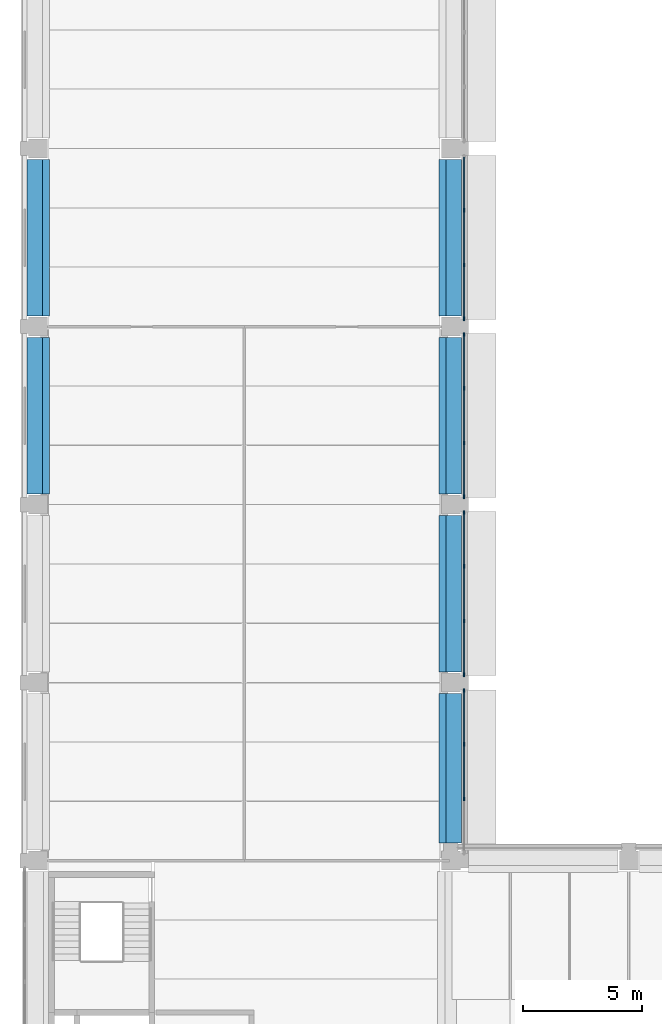
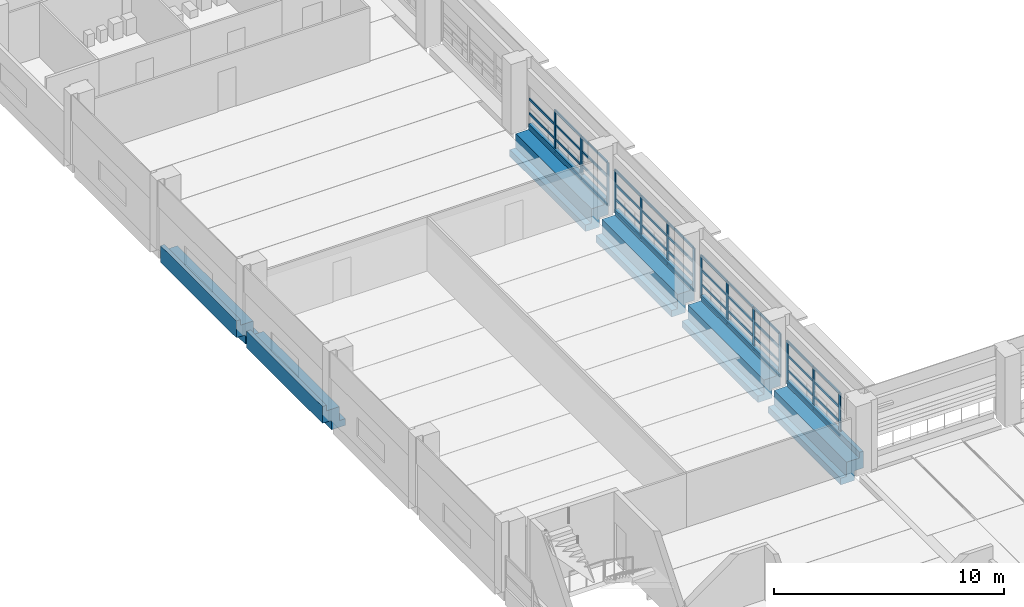
# One storey, part 9 of 61: 57 members, 6 beams, 4 elements without a shape of their own.
"""IFC4 building model written with IfcOpenShell, lengths in metres."""

from ifc_helpers import new_model, si_unit, direction, frame, origin, origin_2d, place, context, subcontext, project, spatial, polyline, rectangle, outline, extrude, material, layer, layer_set, material_profile, profile_set, type_object, element, aggregate, save


model = new_model("IFC4")

# Units and contexts
model_context = context("Model", 3, precision=1e-05, world=origin(), true_north=direction((0.0, 1.0)))
body_context = subcontext(model_context, "Body", "Model", "MODEL_VIEW")
ifc_project = project(units=[si_unit("LENGTHUNIT", "METRE"), si_unit("AREAUNIT", "SQUARE_METRE"), si_unit("VOLUMEUNIT", "CUBIC_METRE"), si_unit("PLANEANGLEUNIT", "RADIAN"), si_unit("MASSUNIT", "GRAM", prefix="KILO")], contexts=[model_context])

# Site, building, storey
site_placement = place(None, origin())
site = spatial("IfcSite", under=ifc_project, at=site_placement, CompositionType="ELEMENT")
building_placement = place(site_placement, origin())
building = spatial("IfcBuilding", under=site, at=building_placement, Name="Cour d'Honneur Mobility Palace", CompositionType="ELEMENT")
storey_placement = place(building_placement, frame((0.0, 0.0, 11.89990234375)))
storey = spatial("IfcBuildingStorey", under=building, at=storey_placement, Name="L03", CompositionType="ELEMENT", Elevation=11.89990234375)

# Curtain wall, members
ifc_material_1 = material(Name="Aluminium and glass", Category="aluminium")
ifc_layer = layer(ifc_material_1, 0.10009765625)
ifc_layer_set = layer_set([ifc_layer], Name="Aluminium and glass")
curtain_wall_type = type_object("IfcCurtainWallType", Name="Curtain wall run", PredefinedType="NOTDEFINED", material=ifc_layer_set)
curtain_wall_1_placement = place(storey_placement, origin())
curtain_wall_1 = element("IfcCurtainWall", 1, at=curtain_wall_1_placement, inside=storey, type_object=curtain_wall_type, Name="Curtain wall CW-30", PredefinedType="NOTDEFINED")
ifc_material_2 = material(Name="Aluminium", Category="aluminium")
ifc_material_profile_1 = material_profile(ifc_material_2, rectangle(XDim=0.06005859375, YDim=0.159912109375, at=origin_2d()), Name="Curtain wall mullion")
ifc_profile_set_1 = profile_set([ifc_material_profile_1], Name="Aluminium")
member_type_1 = type_object("IfcMemberType", Name="Curtain wall mullion", PredefinedType="MULLION", material=ifc_profile_set_1)
member_1_placement = place(storey_placement, frame((17.949951171875, 65.0, 0.0), z_axis=(0.0, 0.0, 1.0), x_axis=(-1.0, 0.0, 0.0)))
member_1 = element("IfcMember", 2, at=member_1_placement, type_object=member_type_1, Name="CW-30 mullion 2", PredefinedType="MULLION", context=body_context, shape_type="SweptSolid", body=[
    extrude(rectangle(XDim=0.06005859375, YDim=0.159912109375, at=origin_2d()), origin(), (0.0, 0.0, 1.0), 2.300048828125),
])
member_2_placement = place(storey_placement, frame((17.949951171875, 67.300048828125, 0.0), z_axis=(0.0, 0.0, 1.0), x_axis=(-1.0, 0.0, 0.0)))
member_2 = element("IfcMember", 3, at=member_2_placement, type_object=member_type_1, Name="CW-30 mullion 3", PredefinedType="MULLION", context=body_context, shape_type="SweptSolid", body=[
    extrude(rectangle(XDim=0.06005859375, YDim=0.159912109375, at=origin_2d()), origin(), (0.0, 0.0, 1.0), 2.300048828125),
])
member_3_placement = place(storey_placement, frame((17.949951171875, 69.570068359375, 0.0), z_axis=(0.0, 0.0, 1.0), x_axis=(-1.0, 0.0, 0.0)))
member_3 = element("IfcMember", 4, at=member_3_placement, type_object=member_type_1, Name="CW-30 mullion 4", PredefinedType="MULLION", context=body_context, shape_type="SweptSolid", body=[
    extrude(rectangle(XDim=0.06005859375, YDim=0.159912109375, at=origin_2d()), origin(), (0.0, 0.0, 1.0), 2.300048828125),
])

curtain_wall_2_placement = place(storey_placement, origin())
curtain_wall_2 = element("IfcCurtainWall", 5, at=curtain_wall_2_placement, inside=storey, type_object=curtain_wall_type, Name="Curtain wall CW-31", PredefinedType="NOTDEFINED")
member_4_placement = place(storey_placement, frame((17.949951171875, 70.22998046875, 0.0), z_axis=(0.0, 0.0, 1.0), x_axis=(-1.0, 0.0, 0.0)))
member_4 = element("IfcMember", 6, at=member_4_placement, type_object=member_type_1, Name="CW-31 mullion 1", PredefinedType="MULLION", context=body_context, shape_type="SweptSolid", body=[
    extrude(rectangle(XDim=0.06005859375, YDim=0.159912109375, at=origin_2d()), origin(), (0.0, 0.0, 1.0), 2.300048828125),
])
member_5_placement = place(storey_placement, frame((17.949951171875, 72.5, 0.0), z_axis=(0.0, 0.0, 1.0), x_axis=(-1.0, 0.0, 0.0)))
member_5 = element("IfcMember", 7, at=member_5_placement, type_object=member_type_1, Name="CW-31 mullion 2", PredefinedType="MULLION", context=body_context, shape_type="SweptSolid", body=[
    extrude(rectangle(XDim=0.06005859375, YDim=0.159912109375, at=origin_2d()), origin(), (0.0, 0.0, 1.0), 2.300048828125),
])
member_6_placement = place(storey_placement, frame((17.949951171875, 74.800048828125, 0.0), z_axis=(0.0, 0.0, 1.0), x_axis=(-1.0, 0.0, 0.0)))
member_6 = element("IfcMember", 8, at=member_6_placement, type_object=member_type_1, Name="CW-31 mullion 3", PredefinedType="MULLION", context=body_context, shape_type="SweptSolid", body=[
    extrude(rectangle(XDim=0.06005859375, YDim=0.159912109375, at=origin_2d()), origin(), (0.0, 0.0, 1.0), 2.300048828125),
])
member_7_placement = place(storey_placement, frame((17.949951171875, 77.070068359375, 0.0), z_axis=(0.0, 0.0, 1.0), x_axis=(-1.0, 0.0, 0.0)))
member_7 = element("IfcMember", 9, at=member_7_placement, type_object=member_type_1, Name="CW-31 mullion 4", PredefinedType="MULLION", context=body_context, shape_type="SweptSolid", body=[
    extrude(rectangle(XDim=0.06005859375, YDim=0.159912109375, at=origin_2d()), origin(), (0.0, 0.0, 1.0), 2.300048828125),
])

curtain_wall_3_placement = place(storey_placement, origin())
curtain_wall_3 = element("IfcCurtainWall", 10, at=curtain_wall_3_placement, inside=storey, type_object=curtain_wall_type, Name="Curtain wall CW-32", PredefinedType="NOTDEFINED")
member_8_placement = place(storey_placement, frame((17.949951171875, 77.72998046875, 0.0), z_axis=(0.0, 0.0, 1.0), x_axis=(-1.0, 0.0, 0.0)))
member_8 = element("IfcMember", 11, at=member_8_placement, type_object=member_type_1, Name="CW-32 mullion 1", PredefinedType="MULLION", context=body_context, shape_type="SweptSolid", body=[
    extrude(rectangle(XDim=0.06005859375, YDim=0.159912109375, at=origin_2d()), origin(), (0.0, 0.0, 1.0), 2.300048828125),
])
member_9_placement = place(storey_placement, frame((17.949951171875, 80.0, 0.0), z_axis=(0.0, 0.0, 1.0), x_axis=(-1.0, 0.0, 0.0)))
member_9 = element("IfcMember", 12, at=member_9_placement, type_object=member_type_1, Name="CW-32 mullion 2", PredefinedType="MULLION", context=body_context, shape_type="SweptSolid", body=[
    extrude(rectangle(XDim=0.06005859375, YDim=0.159912109375, at=origin_2d()), origin(), (0.0, 0.0, 1.0), 2.300048828125),
])
member_10_placement = place(storey_placement, frame((17.949951171875, 82.300048828125, 0.0), z_axis=(0.0, 0.0, 1.0), x_axis=(-1.0, 0.0, 0.0)))
member_10 = element("IfcMember", 13, at=member_10_placement, type_object=member_type_1, Name="CW-32 mullion 3", PredefinedType="MULLION", context=body_context, shape_type="SweptSolid", body=[
    extrude(rectangle(XDim=0.06005859375, YDim=0.159912109375, at=origin_2d()), origin(), (0.0, 0.0, 1.0), 2.300048828125),
])
member_11_placement = place(storey_placement, frame((17.949951171875, 84.570068359375, 0.0), z_axis=(0.0, 0.0, 1.0), x_axis=(-1.0, 0.0, 0.0)))
member_11 = element("IfcMember", 14, at=member_11_placement, type_object=member_type_1, Name="CW-32 mullion 4", PredefinedType="MULLION", context=body_context, shape_type="SweptSolid", body=[
    extrude(rectangle(XDim=0.06005859375, YDim=0.159912109375, at=origin_2d()), origin(), (0.0, 0.0, 1.0), 2.300048828125),
])

curtain_wall_4_placement = place(storey_placement, origin())
curtain_wall_4 = element("IfcCurtainWall", 15, at=curtain_wall_4_placement, inside=storey, type_object=curtain_wall_type, Name="Curtain wall CW-33", PredefinedType="NOTDEFINED")
member_12_placement = place(storey_placement, frame((17.949951171875, 85.22998046875, 0.0), z_axis=(0.0, 0.0, 1.0), x_axis=(-1.0, 0.0, 0.0)))
member_12 = element("IfcMember", 16, at=member_12_placement, type_object=member_type_1, Name="CW-33 mullion 1", PredefinedType="MULLION", context=body_context, shape_type="SweptSolid", body=[
    extrude(rectangle(XDim=0.06005859375, YDim=0.159912109375, at=origin_2d()), origin(), (0.0, 0.0, 1.0), 2.300048828125),
])
member_13_placement = place(storey_placement, frame((17.949951171875, 87.5, 0.0), z_axis=(0.0, 0.0, 1.0), x_axis=(-1.0, 0.0, 0.0)))
member_13 = element("IfcMember", 17, at=member_13_placement, type_object=member_type_1, Name="CW-33 mullion 2", PredefinedType="MULLION", context=body_context, shape_type="SweptSolid", body=[
    extrude(rectangle(XDim=0.06005859375, YDim=0.159912109375, at=origin_2d()), origin(), (0.0, 0.0, 1.0), 2.300048828125),
])
member_14_placement = place(storey_placement, frame((17.949951171875, 89.800048828125, 0.0), z_axis=(0.0, 0.0, 1.0), x_axis=(-1.0, 0.0, 0.0)))
member_14 = element("IfcMember", 18, at=member_14_placement, type_object=member_type_1, Name="CW-33 mullion 3", PredefinedType="MULLION", context=body_context, shape_type="SweptSolid", body=[
    extrude(rectangle(XDim=0.06005859375, YDim=0.159912109375, at=origin_2d()), origin(), (0.0, 0.0, 1.0), 2.300048828125),
])

# Member
ifc_material_3 = material(Name="Aluminium", Category="aluminium")
ifc_material_profile_2 = material_profile(ifc_material_3, rectangle(XDim=0.06005859375, YDim=0.1201171875, at=origin_2d()), Name="Curtain wall transom")
ifc_profile_set_2 = profile_set([ifc_material_profile_2], Name="Aluminium")
member_type_2 = type_object("IfcMemberType", Name="Curtain wall transom", PredefinedType="USERDEFINED", material=ifc_profile_set_2)
member_15_placement = place(storey_placement, frame((17.949951171875, 65.030029296875, 0.030029296875), z_axis=(0.0, 1.0, 0.0), x_axis=(-1.0, 0.0, 0.0)))
member_15 = element("IfcMember", 19, at=member_15_placement, type_object=member_type_2, Name="CW-30 transom 2.1", ObjectType="TRANSOM", PredefinedType="USERDEFINED", context=body_context, shape_type="SweptSolid", body=[
    extrude(rectangle(XDim=0.06005859375, YDim=0.1201171875, at=origin_2d()), origin(), (0.0, 0.0, 1.0), 2.239990234375),
])

member_16_placement = place(storey_placement, frame((17.949951171875, 65.030029296875, 0.766845703125), z_axis=(0.0, 1.0, 0.0), x_axis=(-1.0, 0.0, 0.0)))
member_16 = element("IfcMember", 20, at=member_16_placement, type_object=member_type_2, Name="CW-30 transom 2.2", ObjectType="TRANSOM", PredefinedType="USERDEFINED", context=body_context, shape_type="SweptSolid", body=[
    extrude(rectangle(XDim=0.06005859375, YDim=0.1201171875, at=origin_2d()), origin(), (0.0, 0.0, 1.0), 2.239990234375),
])

member_17_placement = place(storey_placement, frame((17.949951171875, 65.030029296875, 1.533447265625), z_axis=(0.0, 1.0, 0.0), x_axis=(-1.0, 0.0, 0.0)))
member_17 = element("IfcMember", 21, at=member_17_placement, type_object=member_type_2, Name="CW-30 transom 2.3", ObjectType="TRANSOM", PredefinedType="USERDEFINED", context=body_context, shape_type="SweptSolid", body=[
    extrude(rectangle(XDim=0.06005859375, YDim=0.1201171875, at=origin_2d()), origin(), (0.0, 0.0, 1.0), 2.239990234375),
])

member_18_placement = place(storey_placement, frame((17.949951171875, 65.030029296875, 2.27001953125), z_axis=(0.0, 1.0, 0.0), x_axis=(-1.0, 0.0, 0.0)))
member_18 = element("IfcMember", 22, at=member_18_placement, type_object=member_type_2, Name="CW-30 transom 2.4", ObjectType="TRANSOM", PredefinedType="USERDEFINED", context=body_context, shape_type="SweptSolid", body=[
    extrude(rectangle(XDim=0.06005859375, YDim=0.1201171875, at=origin_2d()), origin(), (0.0, 0.0, 1.0), 2.239990234375),
])

member_19_placement = place(storey_placement, frame((17.949951171875, 67.330078125, 0.030029296875), z_axis=(0.0, 1.0, 0.0), x_axis=(-1.0, 0.0, 0.0)))
member_19 = element("IfcMember", 23, at=member_19_placement, type_object=member_type_2, Name="CW-30 transom 3.1", ObjectType="TRANSOM", PredefinedType="USERDEFINED", context=body_context, shape_type="SweptSolid", body=[
    extrude(rectangle(XDim=0.06005859375, YDim=0.1201171875, at=origin_2d()), origin(), (0.0, 0.0, 1.0), 2.2099609375),
])

member_20_placement = place(storey_placement, frame((17.949951171875, 67.330078125, 0.766845703125), z_axis=(0.0, 1.0, 0.0), x_axis=(-1.0, 0.0, 0.0)))
member_20 = element("IfcMember", 24, at=member_20_placement, type_object=member_type_2, Name="CW-30 transom 3.2", ObjectType="TRANSOM", PredefinedType="USERDEFINED", context=body_context, shape_type="SweptSolid", body=[
    extrude(rectangle(XDim=0.06005859375, YDim=0.1201171875, at=origin_2d()), origin(), (0.0, 0.0, 1.0), 2.2099609375),
])

member_21_placement = place(storey_placement, frame((17.949951171875, 67.330078125, 1.533447265625), z_axis=(0.0, 1.0, 0.0), x_axis=(-1.0, 0.0, 0.0)))
member_21 = element("IfcMember", 25, at=member_21_placement, type_object=member_type_2, Name="CW-30 transom 3.3", ObjectType="TRANSOM", PredefinedType="USERDEFINED", context=body_context, shape_type="SweptSolid", body=[
    extrude(rectangle(XDim=0.06005859375, YDim=0.1201171875, at=origin_2d()), origin(), (0.0, 0.0, 1.0), 2.2099609375),
])

member_22_placement = place(storey_placement, frame((17.949951171875, 67.330078125, 2.27001953125), z_axis=(0.0, 1.0, 0.0), x_axis=(-1.0, 0.0, 0.0)))
member_22 = element("IfcMember", 26, at=member_22_placement, type_object=member_type_2, Name="CW-30 transom 3.4", ObjectType="TRANSOM", PredefinedType="USERDEFINED", context=body_context, shape_type="SweptSolid", body=[
    extrude(rectangle(XDim=0.06005859375, YDim=0.1201171875, at=origin_2d()), origin(), (0.0, 0.0, 1.0), 2.2099609375),
])

aggregate(curtain_wall_1, [member_1, member_2, member_3, member_15, member_16, member_17, member_18, member_19, member_20, member_21, member_22])

member_23_placement = place(storey_placement, frame((17.949951171875, 70.260009765625, 0.030029296875), z_axis=(0.0, 1.0, 0.0), x_axis=(-1.0, 0.0, 0.0)))
member_23 = element("IfcMember", 27, at=member_23_placement, type_object=member_type_2, Name="CW-31 transom 1.1", ObjectType="TRANSOM", PredefinedType="USERDEFINED", context=body_context, shape_type="SweptSolid", body=[
    extrude(rectangle(XDim=0.06005859375, YDim=0.1201171875, at=origin_2d()), origin(), (0.0, 0.0, 1.0), 2.2099609375),
])

member_24_placement = place(storey_placement, frame((17.949951171875, 70.260009765625, 0.766845703125), z_axis=(0.0, 1.0, 0.0), x_axis=(-1.0, 0.0, 0.0)))
member_24 = element("IfcMember", 28, at=member_24_placement, type_object=member_type_2, Name="CW-31 transom 1.2", ObjectType="TRANSOM", PredefinedType="USERDEFINED", context=body_context, shape_type="SweptSolid", body=[
    extrude(rectangle(XDim=0.06005859375, YDim=0.1201171875, at=origin_2d()), origin(), (0.0, 0.0, 1.0), 2.2099609375),
])

member_25_placement = place(storey_placement, frame((17.949951171875, 70.260009765625, 1.533447265625), z_axis=(0.0, 1.0, 0.0), x_axis=(-1.0, 0.0, 0.0)))
member_25 = element("IfcMember", 29, at=member_25_placement, type_object=member_type_2, Name="CW-31 transom 1.3", ObjectType="TRANSOM", PredefinedType="USERDEFINED", context=body_context, shape_type="SweptSolid", body=[
    extrude(rectangle(XDim=0.06005859375, YDim=0.1201171875, at=origin_2d()), origin(), (0.0, 0.0, 1.0), 2.2099609375),
])

member_26_placement = place(storey_placement, frame((17.949951171875, 70.260009765625, 2.27001953125), z_axis=(0.0, 1.0, 0.0), x_axis=(-1.0, 0.0, 0.0)))
member_26 = element("IfcMember", 30, at=member_26_placement, type_object=member_type_2, Name="CW-31 transom 1.4", ObjectType="TRANSOM", PredefinedType="USERDEFINED", context=body_context, shape_type="SweptSolid", body=[
    extrude(rectangle(XDim=0.06005859375, YDim=0.1201171875, at=origin_2d()), origin(), (0.0, 0.0, 1.0), 2.2099609375),
])

member_27_placement = place(storey_placement, frame((17.949951171875, 72.530029296875, 0.030029296875), z_axis=(0.0, 1.0, 0.0), x_axis=(-1.0, 0.0, 0.0)))
member_27 = element("IfcMember", 31, at=member_27_placement, type_object=member_type_2, Name="CW-31 transom 2.1", ObjectType="TRANSOM", PredefinedType="USERDEFINED", context=body_context, shape_type="SweptSolid", body=[
    extrude(rectangle(XDim=0.06005859375, YDim=0.1201171875, at=origin_2d()), origin(), (0.0, 0.0, 1.0), 2.239990234375),
])

member_28_placement = place(storey_placement, frame((17.949951171875, 72.530029296875, 0.766845703125), z_axis=(0.0, 1.0, 0.0), x_axis=(-1.0, 0.0, 0.0)))
member_28 = element("IfcMember", 32, at=member_28_placement, type_object=member_type_2, Name="CW-31 transom 2.2", ObjectType="TRANSOM", PredefinedType="USERDEFINED", context=body_context, shape_type="SweptSolid", body=[
    extrude(rectangle(XDim=0.06005859375, YDim=0.1201171875, at=origin_2d()), origin(), (0.0, 0.0, 1.0), 2.239990234375),
])

member_29_placement = place(storey_placement, frame((17.949951171875, 72.530029296875, 1.533447265625), z_axis=(0.0, 1.0, 0.0), x_axis=(-1.0, 0.0, 0.0)))
member_29 = element("IfcMember", 33, at=member_29_placement, type_object=member_type_2, Name="CW-31 transom 2.3", ObjectType="TRANSOM", PredefinedType="USERDEFINED", context=body_context, shape_type="SweptSolid", body=[
    extrude(rectangle(XDim=0.06005859375, YDim=0.1201171875, at=origin_2d()), origin(), (0.0, 0.0, 1.0), 2.239990234375),
])

member_30_placement = place(storey_placement, frame((17.949951171875, 72.530029296875, 2.27001953125), z_axis=(0.0, 1.0, 0.0), x_axis=(-1.0, 0.0, 0.0)))
member_30 = element("IfcMember", 34, at=member_30_placement, type_object=member_type_2, Name="CW-31 transom 2.4", ObjectType="TRANSOM", PredefinedType="USERDEFINED", context=body_context, shape_type="SweptSolid", body=[
    extrude(rectangle(XDim=0.06005859375, YDim=0.1201171875, at=origin_2d()), origin(), (0.0, 0.0, 1.0), 2.239990234375),
])

member_31_placement = place(storey_placement, frame((17.949951171875, 74.830078125, 0.030029296875), z_axis=(0.0, 1.0, 0.0), x_axis=(-1.0, 0.0, 0.0)))
member_31 = element("IfcMember", 35, at=member_31_placement, type_object=member_type_2, Name="CW-31 transom 3.1", ObjectType="TRANSOM", PredefinedType="USERDEFINED", context=body_context, shape_type="SweptSolid", body=[
    extrude(rectangle(XDim=0.06005859375, YDim=0.1201171875, at=origin_2d()), origin(), (0.0, 0.0, 1.0), 2.2099609375),
])

member_32_placement = place(storey_placement, frame((17.949951171875, 74.830078125, 0.766845703125), z_axis=(0.0, 1.0, 0.0), x_axis=(-1.0, 0.0, 0.0)))
member_32 = element("IfcMember", 36, at=member_32_placement, type_object=member_type_2, Name="CW-31 transom 3.2", ObjectType="TRANSOM", PredefinedType="USERDEFINED", context=body_context, shape_type="SweptSolid", body=[
    extrude(rectangle(XDim=0.06005859375, YDim=0.1201171875, at=origin_2d()), origin(), (0.0, 0.0, 1.0), 2.2099609375),
])

member_33_placement = place(storey_placement, frame((17.949951171875, 74.830078125, 1.533447265625), z_axis=(0.0, 1.0, 0.0), x_axis=(-1.0, 0.0, 0.0)))
member_33 = element("IfcMember", 37, at=member_33_placement, type_object=member_type_2, Name="CW-31 transom 3.3", ObjectType="TRANSOM", PredefinedType="USERDEFINED", context=body_context, shape_type="SweptSolid", body=[
    extrude(rectangle(XDim=0.06005859375, YDim=0.1201171875, at=origin_2d()), origin(), (0.0, 0.0, 1.0), 2.2099609375),
])

member_34_placement = place(storey_placement, frame((17.949951171875, 74.830078125, 2.27001953125), z_axis=(0.0, 1.0, 0.0), x_axis=(-1.0, 0.0, 0.0)))
member_34 = element("IfcMember", 38, at=member_34_placement, type_object=member_type_2, Name="CW-31 transom 3.4", ObjectType="TRANSOM", PredefinedType="USERDEFINED", context=body_context, shape_type="SweptSolid", body=[
    extrude(rectangle(XDim=0.06005859375, YDim=0.1201171875, at=origin_2d()), origin(), (0.0, 0.0, 1.0), 2.2099609375),
])

aggregate(curtain_wall_2, [member_4, member_5, member_6, member_7, member_23, member_24, member_25, member_26, member_27, member_28, member_29, member_30, member_31, member_32, member_33, member_34])

member_35_placement = place(storey_placement, frame((17.949951171875, 77.760009765625, 0.030029296875), z_axis=(0.0, 1.0, 0.0), x_axis=(-1.0, 0.0, 0.0)))
member_35 = element("IfcMember", 39, at=member_35_placement, type_object=member_type_2, Name="CW-32 transom 1.1", ObjectType="TRANSOM", PredefinedType="USERDEFINED", context=body_context, shape_type="SweptSolid", body=[
    extrude(rectangle(XDim=0.06005859375, YDim=0.1201171875, at=origin_2d()), origin(), (0.0, 0.0, 1.0), 2.2099609375),
])

member_36_placement = place(storey_placement, frame((17.949951171875, 77.760009765625, 0.766845703125), z_axis=(0.0, 1.0, 0.0), x_axis=(-1.0, 0.0, 0.0)))
member_36 = element("IfcMember", 40, at=member_36_placement, type_object=member_type_2, Name="CW-32 transom 1.2", ObjectType="TRANSOM", PredefinedType="USERDEFINED", context=body_context, shape_type="SweptSolid", body=[
    extrude(rectangle(XDim=0.06005859375, YDim=0.1201171875, at=origin_2d()), origin(), (0.0, 0.0, 1.0), 2.2099609375),
])

member_37_placement = place(storey_placement, frame((17.949951171875, 77.760009765625, 1.533447265625), z_axis=(0.0, 1.0, 0.0), x_axis=(-1.0, 0.0, 0.0)))
member_37 = element("IfcMember", 41, at=member_37_placement, type_object=member_type_2, Name="CW-32 transom 1.3", ObjectType="TRANSOM", PredefinedType="USERDEFINED", context=body_context, shape_type="SweptSolid", body=[
    extrude(rectangle(XDim=0.06005859375, YDim=0.1201171875, at=origin_2d()), origin(), (0.0, 0.0, 1.0), 2.2099609375),
])

member_38_placement = place(storey_placement, frame((17.949951171875, 77.760009765625, 2.27001953125), z_axis=(0.0, 1.0, 0.0), x_axis=(-1.0, 0.0, 0.0)))
member_38 = element("IfcMember", 42, at=member_38_placement, type_object=member_type_2, Name="CW-32 transom 1.4", ObjectType="TRANSOM", PredefinedType="USERDEFINED", context=body_context, shape_type="SweptSolid", body=[
    extrude(rectangle(XDim=0.06005859375, YDim=0.1201171875, at=origin_2d()), origin(), (0.0, 0.0, 1.0), 2.2099609375),
])

member_39_placement = place(storey_placement, frame((17.949951171875, 80.030029296875, 0.030029296875), z_axis=(0.0, 1.0, 0.0), x_axis=(-1.0, 0.0, 0.0)))
member_39 = element("IfcMember", 43, at=member_39_placement, type_object=member_type_2, Name="CW-32 transom 2.1", ObjectType="TRANSOM", PredefinedType="USERDEFINED", context=body_context, shape_type="SweptSolid", body=[
    extrude(rectangle(XDim=0.06005859375, YDim=0.1201171875, at=origin_2d()), origin(), (0.0, 0.0, 1.0), 2.239990234375),
])

member_40_placement = place(storey_placement, frame((17.949951171875, 80.030029296875, 0.766845703125), z_axis=(0.0, 1.0, 0.0), x_axis=(-1.0, 0.0, 0.0)))
member_40 = element("IfcMember", 44, at=member_40_placement, type_object=member_type_2, Name="CW-32 transom 2.2", ObjectType="TRANSOM", PredefinedType="USERDEFINED", context=body_context, shape_type="SweptSolid", body=[
    extrude(rectangle(XDim=0.06005859375, YDim=0.1201171875, at=origin_2d()), origin(), (0.0, 0.0, 1.0), 2.239990234375),
])

member_41_placement = place(storey_placement, frame((17.949951171875, 80.030029296875, 1.533447265625), z_axis=(0.0, 1.0, 0.0), x_axis=(-1.0, 0.0, 0.0)))
member_41 = element("IfcMember", 45, at=member_41_placement, type_object=member_type_2, Name="CW-32 transom 2.3", ObjectType="TRANSOM", PredefinedType="USERDEFINED", context=body_context, shape_type="SweptSolid", body=[
    extrude(rectangle(XDim=0.06005859375, YDim=0.1201171875, at=origin_2d()), origin(), (0.0, 0.0, 1.0), 2.239990234375),
])

member_42_placement = place(storey_placement, frame((17.949951171875, 80.030029296875, 2.27001953125), z_axis=(0.0, 1.0, 0.0), x_axis=(-1.0, 0.0, 0.0)))
member_42 = element("IfcMember", 46, at=member_42_placement, type_object=member_type_2, Name="CW-32 transom 2.4", ObjectType="TRANSOM", PredefinedType="USERDEFINED", context=body_context, shape_type="SweptSolid", body=[
    extrude(rectangle(XDim=0.06005859375, YDim=0.1201171875, at=origin_2d()), origin(), (0.0, 0.0, 1.0), 2.239990234375),
])

member_43_placement = place(storey_placement, frame((17.949951171875, 82.330078125, 0.030029296875), z_axis=(0.0, 1.0, 0.0), x_axis=(-1.0, 0.0, 0.0)))
member_43 = element("IfcMember", 47, at=member_43_placement, type_object=member_type_2, Name="CW-32 transom 3.1", ObjectType="TRANSOM", PredefinedType="USERDEFINED", context=body_context, shape_type="SweptSolid", body=[
    extrude(rectangle(XDim=0.06005859375, YDim=0.1201171875, at=origin_2d()), origin(), (0.0, 0.0, 1.0), 2.2099609375),
])

member_44_placement = place(storey_placement, frame((17.949951171875, 82.330078125, 0.766845703125), z_axis=(0.0, 1.0, 0.0), x_axis=(-1.0, 0.0, 0.0)))
member_44 = element("IfcMember", 48, at=member_44_placement, type_object=member_type_2, Name="CW-32 transom 3.2", ObjectType="TRANSOM", PredefinedType="USERDEFINED", context=body_context, shape_type="SweptSolid", body=[
    extrude(rectangle(XDim=0.06005859375, YDim=0.1201171875, at=origin_2d()), origin(), (0.0, 0.0, 1.0), 2.2099609375),
])

member_45_placement = place(storey_placement, frame((17.949951171875, 82.330078125, 1.533447265625), z_axis=(0.0, 1.0, 0.0), x_axis=(-1.0, 0.0, 0.0)))
member_45 = element("IfcMember", 49, at=member_45_placement, type_object=member_type_2, Name="CW-32 transom 3.3", ObjectType="TRANSOM", PredefinedType="USERDEFINED", context=body_context, shape_type="SweptSolid", body=[
    extrude(rectangle(XDim=0.06005859375, YDim=0.1201171875, at=origin_2d()), origin(), (0.0, 0.0, 1.0), 2.2099609375),
])

member_46_placement = place(storey_placement, frame((17.949951171875, 82.330078125, 2.27001953125), z_axis=(0.0, 1.0, 0.0), x_axis=(-1.0, 0.0, 0.0)))
member_46 = element("IfcMember", 50, at=member_46_placement, type_object=member_type_2, Name="CW-32 transom 3.4", ObjectType="TRANSOM", PredefinedType="USERDEFINED", context=body_context, shape_type="SweptSolid", body=[
    extrude(rectangle(XDim=0.06005859375, YDim=0.1201171875, at=origin_2d()), origin(), (0.0, 0.0, 1.0), 2.2099609375),
])

aggregate(curtain_wall_3, [member_8, member_9, member_10, member_11, member_35, member_36, member_37, member_38, member_39, member_40, member_41, member_42, member_43, member_44, member_45, member_46])

member_47_placement = place(storey_placement, frame((17.949951171875, 85.260009765625, 0.030029296875), z_axis=(0.0, 1.0, 0.0), x_axis=(-1.0, 0.0, 0.0)))
member_47 = element("IfcMember", 51, at=member_47_placement, type_object=member_type_2, Name="CW-33 transom 1.1", ObjectType="TRANSOM", PredefinedType="USERDEFINED", context=body_context, shape_type="SweptSolid", body=[
    extrude(rectangle(XDim=0.06005859375, YDim=0.1201171875, at=origin_2d()), origin(), (0.0, 0.0, 1.0), 2.2099609375),
])

member_48_placement = place(storey_placement, frame((17.949951171875, 85.260009765625, 0.766845703125), z_axis=(0.0, 1.0, 0.0), x_axis=(-1.0, 0.0, 0.0)))
member_48 = element("IfcMember", 52, at=member_48_placement, type_object=member_type_2, Name="CW-33 transom 1.2", ObjectType="TRANSOM", PredefinedType="USERDEFINED", context=body_context, shape_type="SweptSolid", body=[
    extrude(rectangle(XDim=0.06005859375, YDim=0.1201171875, at=origin_2d()), origin(), (0.0, 0.0, 1.0), 2.2099609375),
])

member_49_placement = place(storey_placement, frame((17.949951171875, 85.260009765625, 1.533447265625), z_axis=(0.0, 1.0, 0.0), x_axis=(-1.0, 0.0, 0.0)))
member_49 = element("IfcMember", 53, at=member_49_placement, type_object=member_type_2, Name="CW-33 transom 1.3", ObjectType="TRANSOM", PredefinedType="USERDEFINED", context=body_context, shape_type="SweptSolid", body=[
    extrude(rectangle(XDim=0.06005859375, YDim=0.1201171875, at=origin_2d()), origin(), (0.0, 0.0, 1.0), 2.2099609375),
])

member_50_placement = place(storey_placement, frame((17.949951171875, 85.260009765625, 2.27001953125), z_axis=(0.0, 1.0, 0.0), x_axis=(-1.0, 0.0, 0.0)))
member_50 = element("IfcMember", 54, at=member_50_placement, type_object=member_type_2, Name="CW-33 transom 1.4", ObjectType="TRANSOM", PredefinedType="USERDEFINED", context=body_context, shape_type="SweptSolid", body=[
    extrude(rectangle(XDim=0.06005859375, YDim=0.1201171875, at=origin_2d()), origin(), (0.0, 0.0, 1.0), 2.2099609375),
])

member_51_placement = place(storey_placement, frame((17.949951171875, 87.530029296875, 0.030029296875), z_axis=(0.0, 1.0, 0.0), x_axis=(-1.0, 0.0, 0.0)))
member_51 = element("IfcMember", 55, at=member_51_placement, type_object=member_type_2, Name="CW-33 transom 2.1", ObjectType="TRANSOM", PredefinedType="USERDEFINED", context=body_context, shape_type="SweptSolid", body=[
    extrude(rectangle(XDim=0.06005859375, YDim=0.1201171875, at=origin_2d()), origin(), (0.0, 0.0, 1.0), 2.239990234375),
])

member_52_placement = place(storey_placement, frame((17.949951171875, 87.530029296875, 0.766845703125), z_axis=(0.0, 1.0, 0.0), x_axis=(-1.0, 0.0, 0.0)))
member_52 = element("IfcMember", 56, at=member_52_placement, type_object=member_type_2, Name="CW-33 transom 2.2", ObjectType="TRANSOM", PredefinedType="USERDEFINED", context=body_context, shape_type="SweptSolid", body=[
    extrude(rectangle(XDim=0.06005859375, YDim=0.1201171875, at=origin_2d()), origin(), (0.0, 0.0, 1.0), 2.239990234375),
])

member_53_placement = place(storey_placement, frame((17.949951171875, 87.530029296875, 1.533447265625), z_axis=(0.0, 1.0, 0.0), x_axis=(-1.0, 0.0, 0.0)))
member_53 = element("IfcMember", 57, at=member_53_placement, type_object=member_type_2, Name="CW-33 transom 2.3", ObjectType="TRANSOM", PredefinedType="USERDEFINED", context=body_context, shape_type="SweptSolid", body=[
    extrude(rectangle(XDim=0.06005859375, YDim=0.1201171875, at=origin_2d()), origin(), (0.0, 0.0, 1.0), 2.239990234375),
])

member_54_placement = place(storey_placement, frame((17.949951171875, 87.530029296875, 2.27001953125), z_axis=(0.0, 1.0, 0.0), x_axis=(-1.0, 0.0, 0.0)))
member_54 = element("IfcMember", 58, at=member_54_placement, type_object=member_type_2, Name="CW-33 transom 2.4", ObjectType="TRANSOM", PredefinedType="USERDEFINED", context=body_context, shape_type="SweptSolid", body=[
    extrude(rectangle(XDim=0.06005859375, YDim=0.1201171875, at=origin_2d()), origin(), (0.0, 0.0, 1.0), 2.239990234375),
])

member_55_placement = place(storey_placement, frame((17.949951171875, 89.830078125, 0.030029296875), z_axis=(0.0, 1.0, 0.0), x_axis=(-1.0, 0.0, 0.0)))
member_55 = element("IfcMember", 59, at=member_55_placement, type_object=member_type_2, Name="CW-33 transom 3.1", ObjectType="TRANSOM", PredefinedType="USERDEFINED", context=body_context, shape_type="SweptSolid", body=[
    extrude(rectangle(XDim=0.06005859375, YDim=0.1201171875, at=origin_2d()), origin(), (0.0, 0.0, 1.0), 2.2099609375),
])

member_56_placement = place(storey_placement, frame((17.949951171875, 89.830078125, 0.766845703125), z_axis=(0.0, 1.0, 0.0), x_axis=(-1.0, 0.0, 0.0)))
member_56 = element("IfcMember", 60, at=member_56_placement, type_object=member_type_2, Name="CW-33 transom 3.2", ObjectType="TRANSOM", PredefinedType="USERDEFINED", context=body_context, shape_type="SweptSolid", body=[
    extrude(rectangle(XDim=0.06005859375, YDim=0.1201171875, at=origin_2d()), origin(), (0.0, 0.0, 1.0), 2.2099609375),
])

member_57_placement = place(storey_placement, frame((17.949951171875, 89.830078125, 1.533447265625), z_axis=(0.0, 1.0, 0.0), x_axis=(-1.0, 0.0, 0.0)))
member_57 = element("IfcMember", 61, at=member_57_placement, type_object=member_type_2, Name="CW-33 transom 3.3", ObjectType="TRANSOM", PredefinedType="USERDEFINED", context=body_context, shape_type="SweptSolid", body=[
    extrude(rectangle(XDim=0.06005859375, YDim=0.1201171875, at=origin_2d()), origin(), (0.0, 0.0, 1.0), 2.2099609375),
])

aggregate(curtain_wall_4, [member_12, member_13, member_14, member_47, member_48, member_49, member_50, member_51, member_52, member_53, member_54, member_55, member_56, member_57])

# Beams
ifc_material_4 = material(Name="Concrete C45", Category="concrete")
ifc_material_profile_3 = material_profile(ifc_material_4, outline(polyline([(0.5, -1.10009765625), (0.5, -0.75), (0.199951171875, -0.75), (0.199951171875, 0.0), (-0.199951171875, 0.0), (-0.449951171875, 0.0), (-0.449951171875, 0.300048828125), (-0.64990234375, 0.300048828125), (-0.64990234375, -0.60009765625), (-0.199951171875, -0.60009765625), (-0.199951171875, -1.10009765625), (0.5, -1.10009765625)])), Name="Ledger Beam 400x1100 ledge left 350 facade right")
ifc_profile_set_3 = profile_set([ifc_material_profile_3], Name="Concrete C45")
beam_type_1 = type_object("IfcBeamType", Name="Ledger Beam 400x1100 ledge left 350 facade right", PredefinedType="BEAM", material=ifc_profile_set_3)
beam_placement = place(storey_placement, frame((17.39990234375, 63.14990234375, 0.0), z_axis=(0.0, 1.0, 0.0), x_axis=(-1.0, 0.0, 0.0)))
element("IfcBeam", 62, at=beam_placement, inside=storey, type_object=beam_type_1, Name="Precast beam B2 H-J L03", PredefinedType="BEAM", context=body_context, shape_type="SweptSolid", body=[
    extrude(outline(polyline([(0.5, -1.10009765625), (0.5, -0.75), (0.199951171875, -0.75), (0.199951171875, 0.0), (-0.199951171875, 0.0), (-0.449951171875, 0.0), (-0.449951171875, 0.300048828125), (-0.64990234375, 0.300048828125), (-0.64990234375, -0.60009765625), (-0.199951171875, -0.60009765625), (-0.199951171875, -1.10009765625), (0.5, -1.10009765625)])), origin(), (0.0, 0.0, 1.0), 6.300048828125),
])
for number, where, z_axis, x_axis, name in (
    (63, (17.39990234375, 70.35009765625, 0.0), (0.0, 1.0, 0.0), (-1.0, 0.0, 0.0), "Precast beam B2 J-K L03"),
    (64, (17.39990234375, 77.85009765625, 0.0), (0.0, 1.0, 0.0), (-1.0, 0.0, 0.0), "Precast beam B2 K-L L03"),
    (65, (17.39990234375, 85.35009765625, 0.0), (0.0, 1.0, 0.0), (-1.0, 0.0, 0.0), "Precast beam B2 L-M L03"),
):
    element("IfcBeam", number, at=place(storey_placement, frame(where, z_axis=z_axis, x_axis=x_axis)), inside=storey, type_object=beam_type_1, Name=name, PredefinedType="BEAM", context=body_context, shape_type="SweptSolid", body=[
        extrude(outline(polyline([(0.5, -1.10009765625), (0.5, -0.75), (0.199951171875, -0.75), (0.199951171875, 0.0), (-0.199951171875, 0.0), (-0.449951171875, 0.0), (-0.449951171875, 0.300048828125), (-0.64990234375, 0.300048828125), (-0.64990234375, -0.60009765625), (-0.199951171875, -0.60009765625), (-0.199951171875, -1.10009765625), (0.5, -1.10009765625)])), origin(), (0.0, 0.0, 1.0), 6.599853515625),
    ])
ifc_material_5 = material(Name="Concrete C45", Category="concrete")
ifc_material_profile_4 = material_profile(ifc_material_5, outline(polyline([(0.199951171875, -1.10009765625), (0.199951171875, -0.60009765625), (0.64990234375, -0.60009765625), (0.64990234375, 0.300048828125), (0.449951171875, 0.300048828125), (0.449951171875, 0.0), (0.199951171875, 0.0), (-0.199951171875, 0.0), (-0.199951171875, -0.75), (-0.5, -0.75), (-0.5, -1.10009765625), (0.199951171875, -1.10009765625)])), Name="Ledger Beam 400x1100 ledge right 350 facade left")
ifc_profile_set_4 = profile_set([ifc_material_profile_4], Name="Concrete C45")
beam_type_2 = type_object("IfcBeamType", Name="Ledger Beam 400x1100 ledge right 350 facade left", PredefinedType="BEAM", material=ifc_profile_set_4)
for number, where, z_axis, x_axis, name in (
    (66, (0.0, 77.85009765625, 0.0), (0.0, 1.0, 0.0), (-1.0, 0.0, 0.0), "Precast beam B4 K-L L03"),
    (67, (0.0, 85.35009765625, 0.0), (0.0, 1.0, 0.0), (-1.0, 0.0, 0.0), "Precast beam B4 L-M L03"),
):
    element("IfcBeam", number, at=place(storey_placement, frame(where, z_axis=z_axis, x_axis=x_axis)), inside=storey, type_object=beam_type_2, Name=name, PredefinedType="BEAM", context=body_context, shape_type="SweptSolid", body=[
        extrude(outline(polyline([(0.199951171875, -1.10009765625), (0.199951171875, -0.60009765625), (0.64990234375, -0.60009765625), (0.64990234375, 0.300048828125), (0.449951171875, 0.300048828125), (0.449951171875, 0.0), (0.199951171875, 0.0), (-0.199951171875, 0.0), (-0.199951171875, -0.75), (-0.5, -0.75), (-0.5, -1.10009765625), (0.199951171875, -1.10009765625)])), origin(), (0.0, 0.0, 1.0), 6.599853515625),
    ])

save(model, "model.ifc")
